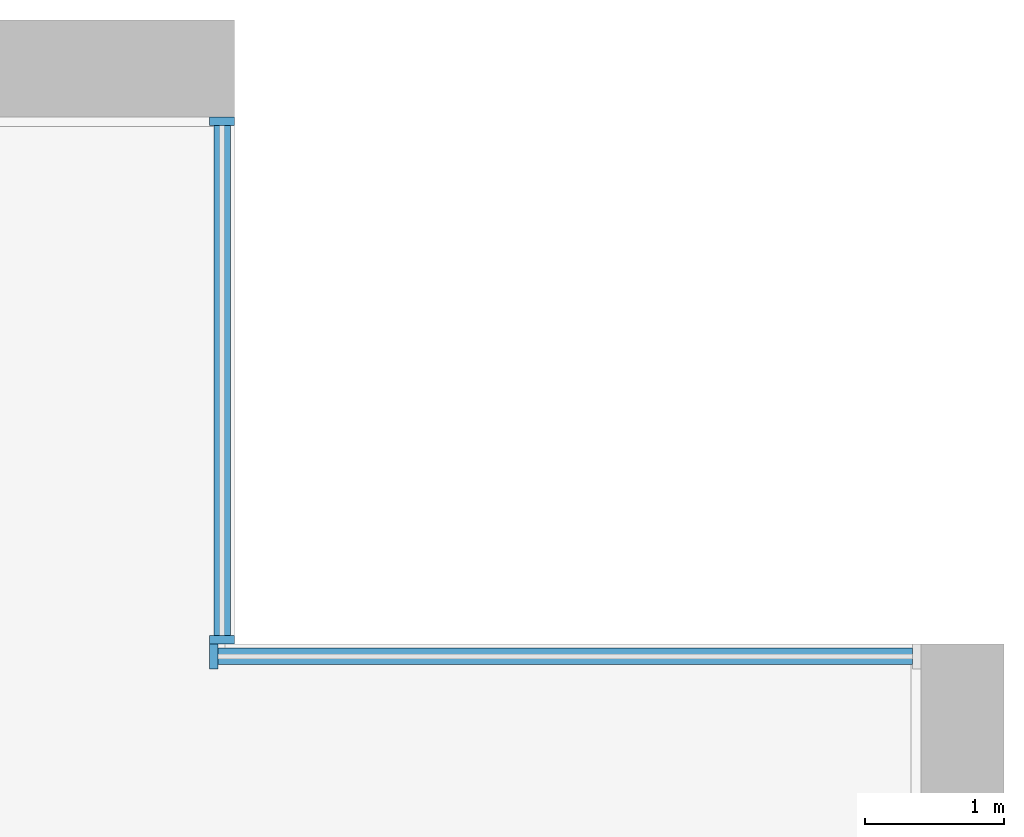
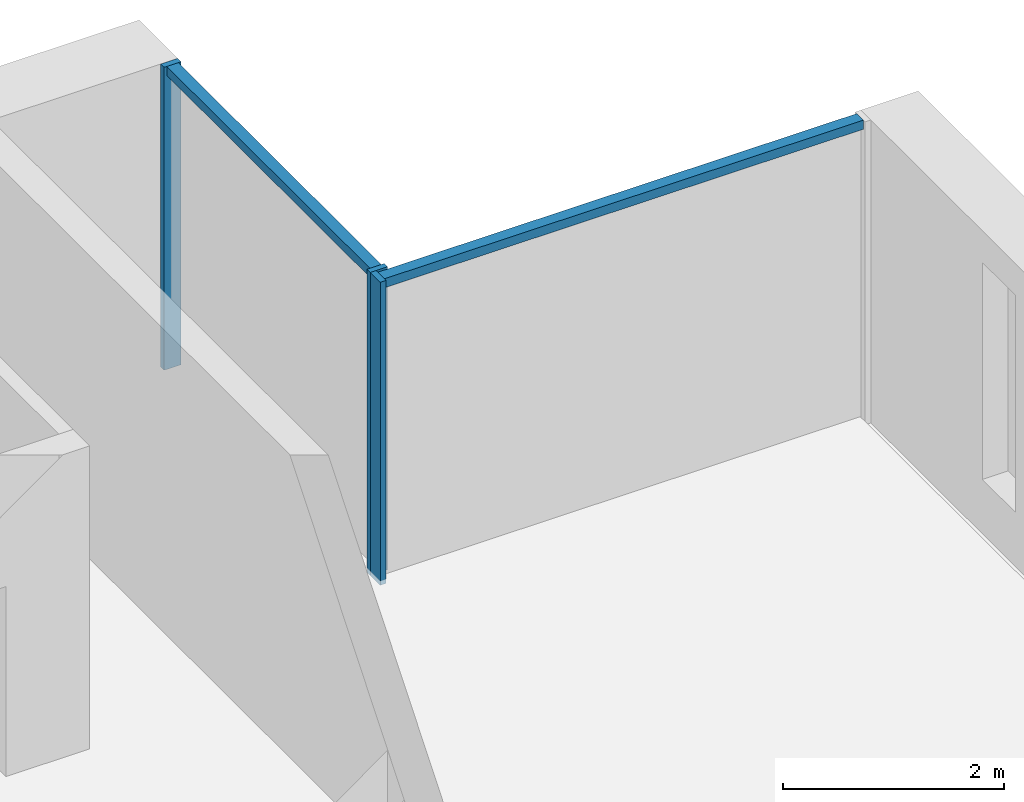
# One storey, part 5 of 17: 5 members, 2 elements without a shape of their own.
"""IFC4 building model written with IfcOpenShell, lengths in metres."""

from ifc_helpers import new_model, si_unit, direction, frame, origin, origin_2d, place, context, subcontext, project, spatial, rectangle, extrude, material, material_profile, profile_set, type_object, element, aggregate, save


model = new_model("IFC4")

# Units and contexts
model_context = context("Model", 3, precision=1e-05, world=origin(), true_north=direction((0.0, 1.0)))
body_context = subcontext(model_context, "Body", "Model", "MODEL_VIEW")
ifc_project = project(units=[si_unit("LENGTHUNIT", "METRE"), si_unit("AREAUNIT", "SQUARE_METRE"), si_unit("VOLUMEUNIT", "CUBIC_METRE"), si_unit("PLANEANGLEUNIT", "RADIAN"), si_unit("MASSUNIT", "GRAM", prefix="KILO")], contexts=[model_context])

# Site, building, storey
site_placement = place(None, origin())
site = spatial("IfcSite", under=ifc_project, at=site_placement, CompositionType="ELEMENT")
building_placement = place(site_placement, origin())
building = spatial("IfcBuilding", under=site, at=building_placement, Name="Calvaro Tower", CompositionType="ELEMENT")
storey_placement = place(building_placement, frame((0.0, 0.0, 185.5)))
storey = spatial("IfcBuildingStorey", under=building, at=storey_placement, Name="L46", CompositionType="ELEMENT", Elevation=185.5)

# Curtain wall, members
ifc_material_1 = material(Name="Anodised aluminium", Category="aluminium")
curtain_wall_type = type_object("IfcCurtainWallType", Name="Office curtain wall, upper zone", PredefinedType="NOTDEFINED", material=ifc_material_1)
curtain_wall_1_placement = place(storey_placement, origin())
curtain_wall_1 = element("IfcCurtainWall", 1, at=curtain_wall_1_placement, inside=storey, type_object=curtain_wall_type, Name="CW3 corner curtain wall", PredefinedType="NOTDEFINED")
ifc_material_2 = material(Name="Anodised aluminium", Category="aluminium")
ifc_material_profile_1 = material_profile(ifc_material_2, rectangle(XDim=0.179931640625, YDim=0.06005859375, at=origin_2d()), Name="Mullion S3 60 x 180")
ifc_profile_set_1 = profile_set([ifc_material_profile_1], Name="Anodised aluminium")
member_type_1 = type_object("IfcMemberType", Name="Mullion S3 60 x 180", PredefinedType="MULLION", material=ifc_profile_set_1)
member_1_placement = place(storey_placement, frame((66.360107421875, 41.530029296875, 0.0), z_axis=(0.0, 0.0, 1.0), x_axis=(-1.0, 0.0, 0.0)))
member_1 = element("IfcMember", 2, at=member_1_placement, type_object=member_type_1, Name="CW3 mullion 1", PredefinedType="MULLION", context=body_context, shape_type="SweptSolid", body=[
    extrude(rectangle(XDim=0.179931640625, YDim=0.06005859375, at=origin_2d()), origin(), (0.0, 0.0, 1.0), 3.35009765625),
])
member_2_placement = place(storey_placement, frame((66.360107421875, 45.27001953125, 0.0), z_axis=(0.0, 0.0, 1.0), x_axis=(-1.0, 0.0, 0.0)))
member_2 = element("IfcMember", 3, at=member_2_placement, type_object=member_type_1, Name="CW3 mullion 2", PredefinedType="MULLION", context=body_context, shape_type="SweptSolid", body=[
    extrude(rectangle(XDim=0.179931640625, YDim=0.06005859375, at=origin_2d()), origin(), (0.0, 0.0, 1.0), 3.35009765625),
])

# Curtain wall, member
curtain_wall_2_placement = place(storey_placement, origin())
curtain_wall_2 = element("IfcCurtainWall", 4, at=curtain_wall_2_placement, inside=storey, type_object=curtain_wall_type, Name="CW3 corner curtain wall", PredefinedType="NOTDEFINED")
member_3_placement = place(storey_placement, frame((66.300048828125, 41.409912109375, 0.0), z_axis=(0.0, 0.0, 1.0), x_axis=(0.0, 1.0, 0.0)))
member_3 = element("IfcMember", 5, at=member_3_placement, type_object=member_type_1, Name="CW3 mullion 1", PredefinedType="MULLION", context=body_context, shape_type="SweptSolid", body=[
    extrude(rectangle(XDim=0.179931640625, YDim=0.06005859375, at=origin_2d()), origin(), (0.0, 0.0, 1.0), 3.35009765625),
])

# Member
ifc_material_3 = material(Name="Anodised aluminium", Category="aluminium")
ifc_material_profile_2 = material_profile(ifc_material_3, rectangle(XDim=0.1201171875, YDim=0.10009765625, at=origin_2d()), Name="Transom S3 100 x 120")
ifc_profile_set_2 = profile_set([ifc_material_profile_2], Name="Anodised aluminium")
member_type_2 = type_object("IfcMemberType", Name="Transom S3 100 x 120", PredefinedType="USERDEFINED", material=ifc_profile_set_2)
member_4_placement = place(storey_placement, frame((66.360107421875, 41.56005859375, 3.300048828125), z_axis=(0.0, 1.0, 0.0), x_axis=(-1.0, 0.0, 0.0)))
member_4 = element("IfcMember", 6, at=member_4_placement, type_object=member_type_2, Name="CW3 transom 1.1", ObjectType="TRANSOM", PredefinedType="USERDEFINED", context=body_context, shape_type="SweptSolid", body=[
    extrude(rectangle(XDim=0.1201171875, YDim=0.10009765625, at=origin_2d()), origin(), (0.0, 0.0, 1.0), 3.679931640625),
])

aggregate(curtain_wall_1, [member_1, member_2, member_4])

member_5_placement = place(storey_placement, frame((66.330078125, 41.409912109375, 3.300048828125), z_axis=(1.0, 0.0, 0.0), x_axis=(0.0, 1.0, 0.0)))
member_5 = element("IfcMember", 7, at=member_5_placement, type_object=member_type_2, Name="CW3 transom 1.1", ObjectType="TRANSOM", PredefinedType="USERDEFINED", context=body_context, shape_type="SweptSolid", body=[
    extrude(rectangle(XDim=0.1201171875, YDim=0.10009765625, at=origin_2d()), origin(), (0.0, 0.0, 1.0), 5.010009765625),
])

aggregate(curtain_wall_2, [member_3, member_5])

save(model, "model.ifc")
